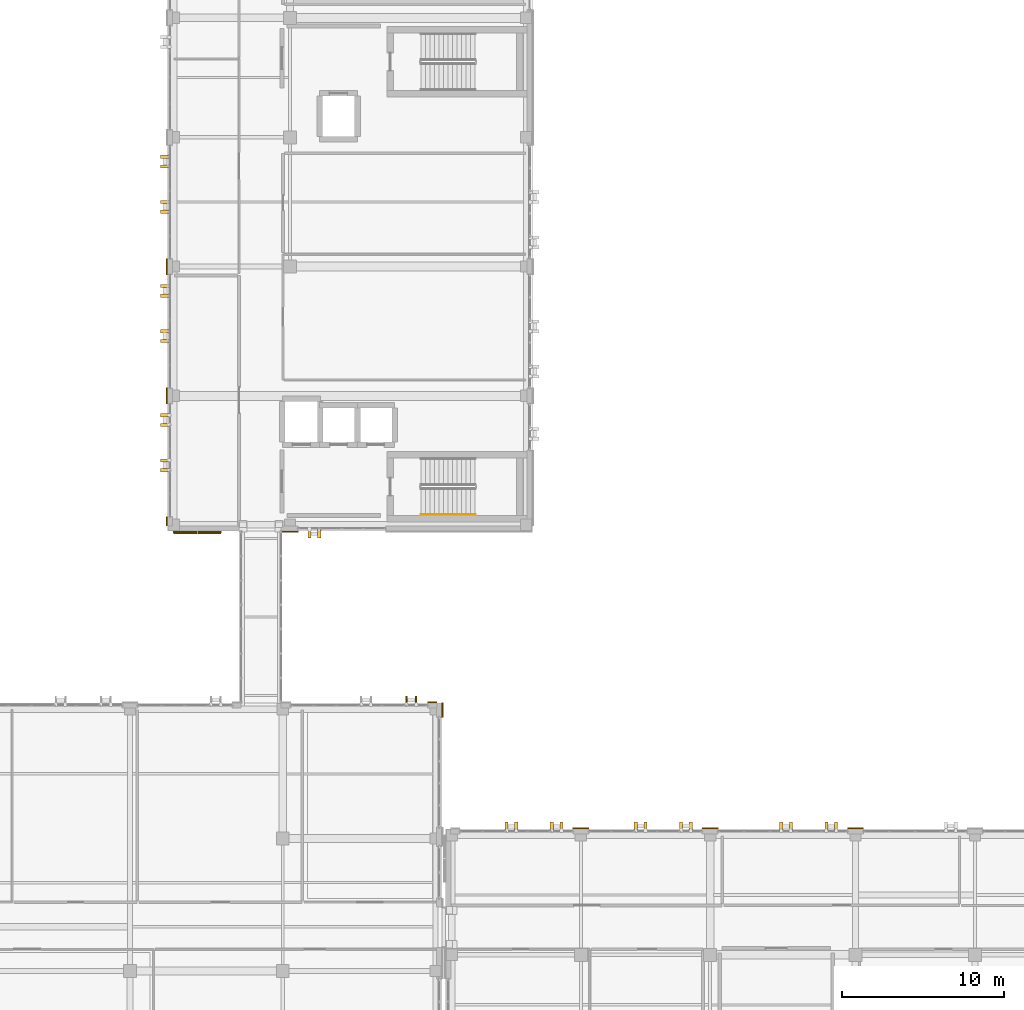
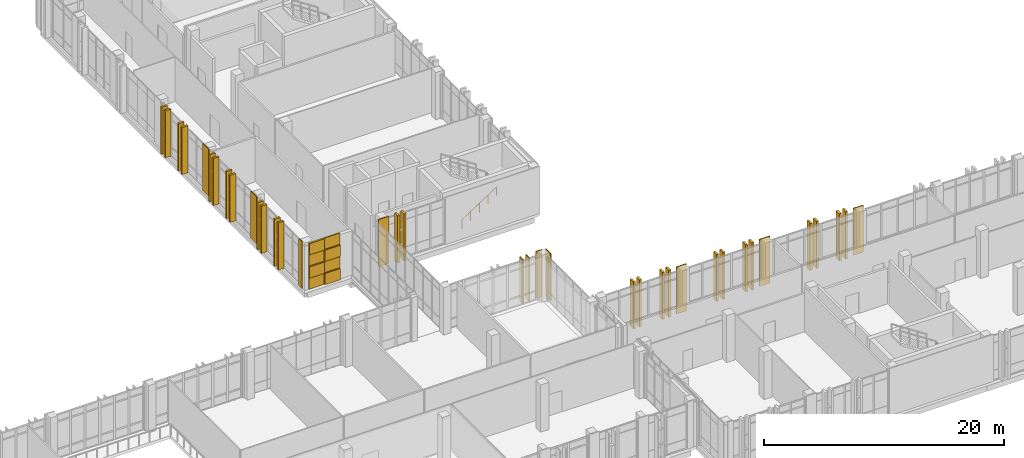
# One storey, part 176 of 189: 43 coverings, 2 shading devices, 1 railing.
"""IFC4 building model written with IfcOpenShell, lengths in metres."""

from ifc_helpers import new_model, si_unit, direction, frame, origin, origin_2d, place, context, subcontext, project, spatial, rectangle, circle, extrude, material, layer, layer_set, type_object, element, save


model = new_model("IFC4")

# Units and contexts
model_context = context("Model", 3, precision=1e-05, world=origin(), true_north=direction((0.0, 1.0)))
body_context = subcontext(model_context, "Body", "Model", "MODEL_VIEW")
ifc_project = project(units=[si_unit("LENGTHUNIT", "METRE"), si_unit("AREAUNIT", "SQUARE_METRE"), si_unit("VOLUMEUNIT", "CUBIC_METRE"), si_unit("PLANEANGLEUNIT", "RADIAN"), si_unit("MASSUNIT", "GRAM", prefix="KILO")], contexts=[model_context])

# Site, building, storey
site_placement = place(None, origin())
site = spatial("IfcSite", under=ifc_project, at=site_placement, CompositionType="ELEMENT")
building_placement = place(site_placement, origin())
building = spatial("IfcBuilding", under=site, at=building_placement, Name="Qalavern Law Courts", CompositionType="ELEMENT")
storey_placement = place(building_placement, frame((0.0, 0.0, 5.39990234375)))
storey = spatial("IfcBuildingStorey", under=building, at=storey_placement, Name="L01", CompositionType="ELEMENT", Elevation=5.39990234375)

# Coverings
ifc_material_1 = material(Name="Precast concrete C40/50", Category="concrete")
ifc_layer_1 = layer(ifc_material_1, 0.199951171875)
ifc_layer_set_1 = layer_set([ifc_layer_1], Name="Precast concrete C40/50")
covering_type_1 = type_object("IfcCoveringType", Name="ENV-BLD-1", PredefinedType="CLADDING", material=ifc_layer_set_1)
for number, where, z_axis, x_axis, name in (
    (1, (93.0, 40.87255859375, 0.005126953125), (0.0, 0.0, 1.0), (0.0, -1.0, 0.0), "Absheron stone facade blade 0535"),
    (2, (93.60009765625, 40.87255859375, 0.005126953125), (0.0, 0.0, 1.0), (0.0, -1.0, 0.0), "Absheron stone facade blade 0536"),
    (3, (84.052490234375, 64.199951171875, 0.005126953125), (0.0, 0.0, 1.0), (-1.0, 0.0, 0.0), "Absheron stone facade blade 0567"),
    (4, (84.052490234375, 63.60009765625, 0.005126953125), (0.0, 0.0, 1.0), (-1.0, 0.0, 0.0), "Absheron stone facade blade 0568"),
    (5, (84.052490234375, 61.39990234375, 0.005126953125), (0.0, 0.0, 1.0), (-1.0, 0.0, 0.0), "Absheron stone facade blade 0569"),
    (6, (84.052490234375, 60.800048828125, 0.005126953125), (0.0, 0.0, 1.0), (-1.0, 0.0, 0.0), "Absheron stone facade blade 0570"),
    (7, (84.052490234375, 56.199951171875, 0.005126953125), (0.0, 0.0, 1.0), (-1.0, 0.0, 0.0), "Absheron stone facade blade 0571"),
    (8, (84.052490234375, 55.60009765625, 0.005126953125), (0.0, 0.0, 1.0), (-1.0, 0.0, 0.0), "Absheron stone facade blade 0572"),
    (9, (84.052490234375, 53.39990234375, 0.005126953125), (0.0, 0.0, 1.0), (-1.0, 0.0, 0.0), "Absheron stone facade blade 0573"),
    (10, (84.052490234375, 52.800048828125, 0.005126953125), (0.0, 0.0, 1.0), (-1.0, 0.0, 0.0), "Absheron stone facade blade 0574"),
    (11, (84.052490234375, 48.199951171875, 0.005126953125), (0.0, 0.0, 1.0), (-1.0, 0.0, 0.0), "Absheron stone facade blade 0575"),
    (12, (84.052490234375, 47.60009765625, 0.005126953125), (0.0, 0.0, 1.0), (-1.0, 0.0, 0.0), "Absheron stone facade blade 0576"),
    (13, (84.052490234375, 45.39990234375, 0.005126953125), (0.0, 0.0, 1.0), (-1.0, 0.0, 0.0), "Absheron stone facade blade 0577"),
    (14, (84.052490234375, 44.800048828125, 0.005126953125), (0.0, 0.0, 1.0), (-1.0, 0.0, 0.0), "Absheron stone facade blade 0578"),
    (15, (125.60009765625, 22.74755859375, 0.005126953125), (0.0, 0.0, 1.0), (0.0, 1.0, 0.0), "Absheron stone facade blade 1245"),
    (16, (125.0, 22.74755859375, 0.005126953125), (0.0, 0.0, 1.0), (0.0, 1.0, 0.0), "Absheron stone facade blade 1246"),
    (17, (122.800048828125, 22.74755859375, 0.005126953125), (0.0, 0.0, 1.0), (0.0, 1.0, 0.0), "Absheron stone facade blade 1247"),
    (18, (122.199951171875, 22.74755859375, 0.005126953125), (0.0, 0.0, 1.0), (0.0, 1.0, 0.0), "Absheron stone facade blade 1248"),
    (19, (116.60009765625, 22.74755859375, 0.005126953125), (0.0, 0.0, 1.0), (0.0, 1.0, 0.0), "Absheron stone facade blade 1249"),
    (20, (116.0, 22.74755859375, 0.005126953125), (0.0, 0.0, 1.0), (0.0, 1.0, 0.0), "Absheron stone facade blade 1250"),
    (21, (113.800048828125, 22.74755859375, 0.005126953125), (0.0, 0.0, 1.0), (0.0, 1.0, 0.0), "Absheron stone facade blade 1251"),
    (22, (113.199951171875, 22.74755859375, 0.005126953125), (0.0, 0.0, 1.0), (0.0, 1.0, 0.0), "Absheron stone facade blade 1252"),
    (23, (108.60009765625, 22.74755859375, 0.005126953125), (0.0, 0.0, 1.0), (0.0, 1.0, 0.0), "Absheron stone facade blade 1253"),
    (24, (108.0, 22.74755859375, 0.005126953125), (0.0, 0.0, 1.0), (0.0, 1.0, 0.0), "Absheron stone facade blade 1254"),
    (25, (105.800048828125, 22.74755859375, 0.005126953125), (0.0, 0.0, 1.0), (0.0, 1.0, 0.0), "Absheron stone facade blade 1255"),
    (26, (105.199951171875, 22.74755859375, 0.005126953125), (0.0, 0.0, 1.0), (0.0, 1.0, 0.0), "Absheron stone facade blade 1256"),
):
    element("IfcCovering", number, at=place(storey_placement, frame(where, z_axis=z_axis, x_axis=x_axis)), inside=storey, type_object=covering_type_1, Name=name, PredefinedType="CLADDING", context=body_context, shape_type="SweptSolid", body=[
        extrude(rectangle(XDim=0.5400390625, YDim=0.199951171875, at=origin_2d()), origin(), (0.0, 0.0, 1.0), 4.7900390625),
    ])
ifc_layer_2 = layer(ifc_material_1, 0.06005859375)
ifc_layer_set_2 = layer_set([ifc_layer_2], Name="Precast concrete C40/50")
covering_type_2 = type_object("IfcCoveringType", Name="ENV-CLD-1", PredefinedType="CLADDING", material=ifc_layer_set_2)
covering_1_placement = place(storey_placement, frame((85.300048828125, 40.98193359375, 0.050048828125), z_axis=(0.0, 0.0, 1.0), x_axis=(1.0, 0.0, 0.0)))
element("IfcCovering", 27, at=covering_1_placement, inside=storey, type_object=covering_type_2, Name="Cast drop-relief street-base tile 1061", PredefinedType="CLADDING", context=body_context, shape_type="SweptSolid", body=[
    extrude(rectangle(XDim=1.449951171875, YDim=0.083984375, at=origin_2d()), origin(), (0.0, 0.0, 1.0), 1.14501953125),
])
for number, where, z_axis, x_axis, name in (
    (28, (85.300048828125, 40.93994140625, 3.60498046875), (0.0, 0.0, 1.0), (1.0, 0.0, 0.0), "Cast drop-relief street-base tile 1064"),
    (29, (86.800048828125, 40.93994140625, 2.420166015625), (0.0, 0.0, 1.0), (1.0, 0.0, 0.0), "Cast drop-relief street-base tile 1067"),
):
    element("IfcCovering", number, at=place(storey_placement, frame(where, z_axis=z_axis, x_axis=x_axis)), inside=storey, type_object=covering_type_2, Name=name, PredefinedType="CLADDING", context=body_context, shape_type="SweptSolid", body=[
        extrude(rectangle(XDim=1.449951171875, YDim=0.16796875, at=origin_2d()), origin(), (0.0, 0.0, 1.0), 1.14501953125),
    ])
ifc_layer_3 = layer(ifc_material_1, 0.072021484375)
ifc_layer_set_3 = layer_set([ifc_layer_3], Name="Precast concrete C40/50")
covering_type_3 = type_object("IfcCoveringType", Name="ENV-CLD-2", PredefinedType="CLADDING", material=ifc_layer_set_3)
covering_2_placement = place(storey_placement, frame((101.23291015625, 29.949951171875, 0.01025390625), z_axis=(0.0, 0.0, 1.0), x_axis=(0.0, 1.0, 0.0)))
element("IfcCovering", 30, at=covering_2_placement, inside=storey, type_object=covering_type_3, Name="V2 Absheron limestone pier facing L01 east 3", PredefinedType="CLADDING", context=body_context, shape_type="SweptSolid", body=[
    extrude(rectangle(XDim=0.8798828125, YDim=0.072021484375, at=origin_2d()), origin(), (0.0, 0.0, 1.0), 4.780029296875),
])
covering_3_placement = place(storey_placement, frame((100.590087890625, 30.43310546875, 0.01025390625), z_axis=(0.0, 0.0, 1.0), x_axis=(-1.0, 0.0, 0.0)))
element("IfcCovering", 31, at=covering_3_placement, inside=storey, type_object=covering_type_3, Name="V2 Absheron limestone pier facing L01 north 1", PredefinedType="CLADDING", context=body_context, shape_type="SweptSolid", body=[
    extrude(rectangle(XDim=0.56005859375, YDim=0.072021484375, at=origin_2d()), origin(), (0.0, 0.0, 1.0), 4.780029296875),
])
for number, where, z_axis, x_axis, name in (
    (32, (85.300048828125, 40.93994140625, 1.235107421875), (0.0, 0.0, 1.0), (1.0, 0.0, 0.0), "Cast drop-relief street-base tile 1062"),
    (33, (86.800048828125, 40.93994140625, 0.050048828125), (0.0, 0.0, 1.0), (1.0, 0.0, 0.0), "Cast drop-relief street-base tile 1065"),
):
    element("IfcCovering", number, at=place(storey_placement, frame(where, z_axis=z_axis, x_axis=x_axis)), inside=storey, type_object=covering_type_3, Name=name, PredefinedType="CLADDING", context=body_context, shape_type="SweptSolid", body=[
        extrude(rectangle(XDim=1.449951171875, YDim=0.16796875, at=origin_2d()), origin(), (0.0, 0.0, 1.0), 1.14501953125),
    ])
covering_4_placement = place(storey_placement, frame((86.800048828125, 40.98193359375, 3.60498046875), z_axis=(0.0, 0.0, 1.0), x_axis=(1.0, 0.0, 0.0)))
element("IfcCovering", 34, at=covering_4_placement, inside=storey, type_object=covering_type_3, Name="Cast drop-relief street-base tile 1068", PredefinedType="CLADDING", context=body_context, shape_type="SweptSolid", body=[
    extrude(rectangle(XDim=1.449951171875, YDim=0.083984375, at=origin_2d()), origin(), (0.0, 0.0, 1.0), 1.14501953125),
])
covering_5_placement = place(storey_placement, frame((91.77490234375, 40.987060546875, 0.01025390625), z_axis=(0.0, 0.0, 1.0), x_axis=(1.0, 0.0, 0.0)))
element("IfcCovering", 35, at=covering_5_placement, inside=storey, type_object=covering_type_3, Name="V4 Absheron limestone pier facing L01 south 1", PredefinedType="CLADDING", context=body_context, shape_type="SweptSolid", body=[
    extrude(rectangle(XDim=1.030029296875, YDim=0.072021484375, at=origin_2d()), origin(), (0.0, 0.0, 1.0), 4.780029296875),
])
for number, where, z_axis, x_axis, name in (
    (36, (84.1669921875, 57.39990234375, 0.01025390625), (0.0, 0.0, 1.0), (0.0, -1.0, 0.0), "V4 Absheron limestone pier facing L01 west 5"),
    (37, (84.1669921875, 49.39990234375, 0.01025390625), (0.0, 0.0, 1.0), (0.0, -1.0, 0.0), "V4 Absheron limestone pier facing L01 west 6"),
):
    element("IfcCovering", number, at=place(storey_placement, frame(where, z_axis=z_axis, x_axis=x_axis)), inside=storey, type_object=covering_type_3, Name=name, PredefinedType="CLADDING", context=body_context, shape_type="SweptSolid", body=[
        extrude(rectangle(XDim=0.97998046875, YDim=0.072021484375, at=origin_2d()), origin(), (0.0, 0.0, 1.0), 4.780029296875),
    ])
covering_6_placement = place(storey_placement, frame((84.1669921875, 41.6298828125, 0.01025390625), z_axis=(0.0, 0.0, 1.0), x_axis=(0.0, -1.0, 0.0)))
element("IfcCovering", 38, at=covering_6_placement, inside=storey, type_object=covering_type_3, Name="V4 Absheron limestone pier facing L01 west 7", PredefinedType="CLADDING", context=body_context, shape_type="SweptSolid", body=[
    extrude(rectangle(XDim=0.56005859375, YDim=0.072021484375, at=origin_2d()), origin(), (0.0, 0.0, 1.0), 4.780029296875),
])
for number, where, z_axis, x_axis, name in (
    (39, (126.800048828125, 22.633056640625, 0.01025390625), (0.0, 0.0, 1.0), (-1.0, 0.0, 0.0), "V6 Absheron limestone pier facing L01 north 6"),
    (40, (117.800048828125, 22.633056640625, 0.01025390625), (0.0, 0.0, 1.0), (-1.0, 0.0, 0.0), "V6 Absheron limestone pier facing L01 north 7"),
    (41, (109.800048828125, 22.633056640625, 0.01025390625), (0.0, 0.0, 1.0), (-1.0, 0.0, 0.0), "V6 Absheron limestone pier facing L01 north 8"),
):
    element("IfcCovering", number, at=place(storey_placement, frame(where, z_axis=z_axis, x_axis=x_axis)), inside=storey, type_object=covering_type_3, Name=name, PredefinedType="CLADDING", context=body_context, shape_type="SweptSolid", body=[
        extrude(rectangle(XDim=0.97998046875, YDim=0.072021484375, at=origin_2d()), origin(), (0.0, 0.0, 1.0), 4.780029296875),
    ])
ifc_layer_4 = layer(ifc_material_1, 0.083984375)
ifc_layer_set_4 = layer_set([ifc_layer_4], Name="Precast concrete C40/50")
covering_type_4 = type_object("IfcCoveringType", Name="ENV-CLD-3", PredefinedType="CLADDING", material=ifc_layer_set_4)
for number, where, z_axis, x_axis, name in (
    (42, (85.300048828125, 40.98193359375, 2.420166015625), (0.0, 0.0, 1.0), (1.0, 0.0, 0.0), "Cast drop-relief street-base tile 1063"),
    (43, (86.800048828125, 40.98193359375, 1.235107421875), (0.0, 0.0, 1.0), (1.0, 0.0, 0.0), "Cast drop-relief street-base tile 1066"),
):
    element("IfcCovering", number, at=place(storey_placement, frame(where, z_axis=z_axis, x_axis=x_axis)), inside=storey, type_object=covering_type_4, Name=name, PredefinedType="CLADDING", context=body_context, shape_type="SweptSolid", body=[
        extrude(rectangle(XDim=1.449951171875, YDim=0.083984375, at=origin_2d()), origin(), (0.0, 0.0, 1.0), 1.14501953125),
    ])

# Shading devices
shading_device_type = type_object("IfcShadingDeviceType", Name="ENV-FIN-1", PredefinedType="USERDEFINED", material=ifc_material_1)
for number, where, z_axis, x_axis, name in (
    (44, (99.60009765625, 30.547607421875, 0.01025390625), (0.0, 0.0, 1.0), (0.0, 1.0, 0.0), "Hall solar shading fin 0023"),
    (45, (99.0, 30.547607421875, 0.01025390625), (0.0, 0.0, 1.0), (0.0, 1.0, 0.0), "Hall solar shading fin 0024"),
):
    element("IfcShadingDevice", number, at=place(storey_placement, frame(where, z_axis=z_axis, x_axis=x_axis)), inside=storey, type_object=shading_device_type, Name=name, ObjectType="FIN", PredefinedType="USERDEFINED", context=body_context, shape_type="SweptSolid", body=[
        extrude(rectangle(XDim=0.5400390625, YDim=0.0849609375, at=origin_2d()), origin(), (0.0, 0.0, 1.0), 4.489990234375),
    ])

# Railing
ifc_material_2 = material(Name="Steel S355", Category="steel")
railing_type = type_object("IfcRailingType", Name="INT-HRAIL-920", PredefinedType="HANDRAIL", material=ifc_material_2)
railing_placement = place(storey_placement, frame((99.89990234375, 42.050048828125, 0.184814453125)))
element("IfcRailing", 46, at=railing_placement, inside=storey, type_object=railing_type, Name="L01 ST-K1A stair handrail 1", PredefinedType="HANDRAIL", context=body_context, shape_type="SweptSolid", body=[
    extrude(circle(Radius=0.02392578125, at=origin_2d()), frame((0.0, 0.0, 0.8759765625), z_axis=(0.834876476806, 0.0, 0.550437342915), x_axis=(0.0, 1.0, 0.0)), (0.0, 0.0, 1.0), 4.024658203125),
    extrude(circle(Radius=0.02099609375, at=origin_2d()), origin(), (0.0, 0.0, 1.0), 0.851806640625),
    extrude(circle(Radius=0.02099609375, at=origin_2d()), frame((0.840087890625, 0.0, 0.5537109375)), (0.0, 0.0, 1.0), 0.851806640625),
    extrude(circle(Radius=0.02099609375, at=origin_2d()), frame((1.68017578125, 0.0, 1.107666015625)), (0.0, 0.0, 1.0), 0.851806640625),
    extrude(circle(Radius=0.02099609375, at=origin_2d()), frame((2.52001953125, 0.0, 1.66162109375)), (0.0, 0.0, 1.0), 0.851806640625),
    extrude(circle(Radius=0.02099609375, at=origin_2d()), frame((3.360107421875, 0.0, 2.21533203125)), (0.0, 0.0, 1.0), 0.851806640625),
])

save(model, "model.ifc")
